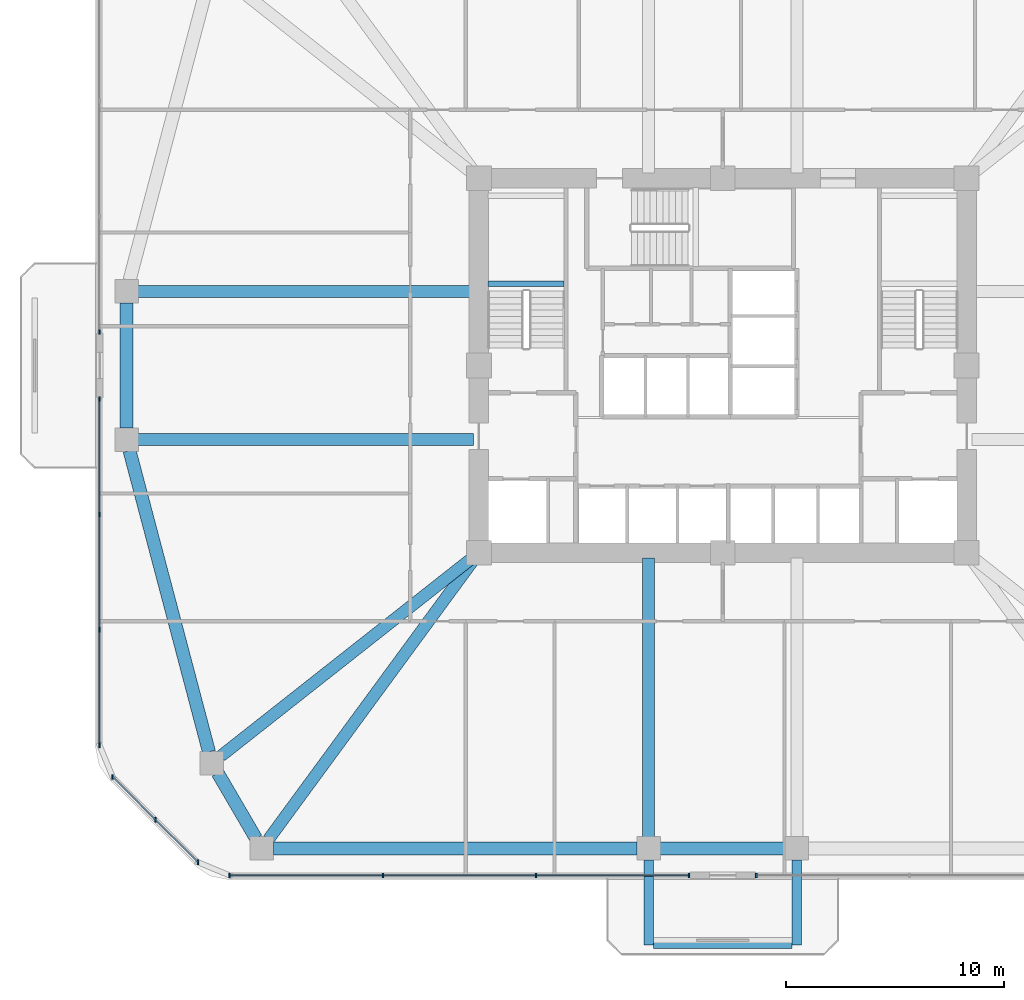
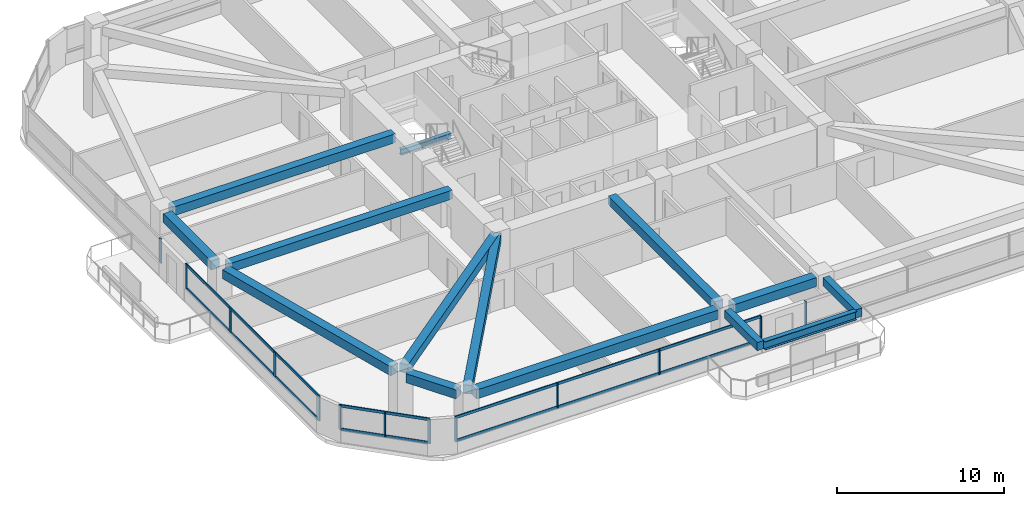
# One storey, part 2 of 13: 19 members, 14 beams, 5 elements without a shape of their own.
"""IFC4 building model written with IfcOpenShell, lengths in metres."""

from ifc_helpers import new_model, si_unit, derived_unit, direction, frame, origin, origin_2d, place, context, subcontext, project, spatial, rectangle, i_section, extrude, material, material_profile, profile_set, type_object, element, aggregate, save


model = new_model("IFC4")

# Units and contexts
model_context = context("Model", 3, precision=1e-05, world=origin(), true_north=direction((0.0, 1.0)))
body_context = subcontext(model_context, "Body", "Model", "MODEL_VIEW")
ifc_project = project(units=[si_unit("LENGTHUNIT", "METRE"), si_unit("AREAUNIT", "SQUARE_METRE"), si_unit("VOLUMEUNIT", "CUBIC_METRE"), si_unit("PLANEANGLEUNIT", "RADIAN"), si_unit("MASSUNIT", "GRAM", prefix="KILO"), derived_unit("THERMALTRANSMITTANCEUNIT", [(si_unit("POWERUNIT", "WATT"), 1), (si_unit("LENGTHUNIT", "METRE"), -2), (si_unit("THERMODYNAMICTEMPERATUREUNIT", "KELVIN"), -1)])], contexts=[model_context])

# Site, building, storey
site_placement = place(None, origin())
site = spatial("IfcSite", under=ifc_project, at=site_placement, CompositionType="ELEMENT")
building_placement = place(site_placement, origin())
building = spatial("IfcBuilding", under=site, at=building_placement, Name="Koralith Skygarden Medical Center", CompositionType="ELEMENT")
storey_placement = place(building_placement, frame((0.0, 0.0, 49.139892578125)))
storey = spatial("IfcBuildingStorey", under=building, at=storey_placement, Name="L12", CompositionType="ELEMENT", Elevation=49.139892578125)

# Curtain wall, members
ifc_material_1 = material(Name="Clear Laminated Glass", Category="glass")
curtain_wall_type = type_object("IfcCurtainWallType", Name="CW-2 Zone 1 Hurricane Unitised Curtain Wall", PredefinedType="NOTDEFINED", material=ifc_material_1)
curtain_wall_1_placement = place(storey_placement, origin())
curtain_wall_1 = element("IfcCurtainWall", 1, at=curtain_wall_1_placement, inside=storey, type_object=curtain_wall_type, Name="Curtain Wall CW-L12-S-L", PredefinedType="NOTDEFINED")
ifc_material_2 = material(Name="Aluminium 6063-T6", Category="aluminium")
ifc_material_profile_1 = material_profile(ifc_material_2, rectangle(XDim=0.071044921875, YDim=0.219970703125, at=origin_2d()), Name="MUL71X220")
ifc_profile_set_1 = profile_set([ifc_material_profile_1], Name="Aluminium 6063-T6")
member_type_1 = type_object("IfcMemberType", Name="CW-2 Extruded Mullion 71x220", PredefinedType="MULLION", material=ifc_profile_set_1)
member_1_placement = place(storey_placement, frame((14.35498046875, 2.47998046875, 0.85009765625), z_axis=(0.0, 0.0, 1.0), x_axis=(1.0, 0.0, 0.0)))
member_1 = element("IfcMember", 2, at=member_1_placement, type_object=member_type_1, Name="CW-L12-S-L Mullion 1", PredefinedType="MULLION", context=body_context, shape_type="SweptSolid", body=[
    extrude(rectangle(XDim=0.071044921875, YDim=0.219970703125, at=origin_2d()), origin(), (0.0, 0.0, 1.0), 1.800048828125),
])
member_2_placement = place(storey_placement, frame((21.389892578125, 2.47998046875, 0.85009765625), z_axis=(0.0, 0.0, 1.0), x_axis=(1.0, 0.0, 0.0)))
member_2 = element("IfcMember", 3, at=member_2_placement, type_object=member_type_1, Name="CW-L12-S-L Mullion 2", PredefinedType="MULLION", context=body_context, shape_type="SweptSolid", body=[
    extrude(rectangle(XDim=0.071044921875, YDim=0.219970703125, at=origin_2d()), origin(), (0.0, 0.0, 1.0), 1.800048828125),
])
member_3_placement = place(storey_placement, frame((28.425048828125, 2.47998046875, 0.85009765625), z_axis=(0.0, 0.0, 1.0), x_axis=(1.0, 0.0, 0.0)))
member_3 = element("IfcMember", 4, at=member_3_placement, type_object=member_type_1, Name="CW-L12-S-L Mullion 3", PredefinedType="MULLION", context=body_context, shape_type="SweptSolid", body=[
    extrude(rectangle(XDim=0.071044921875, YDim=0.219970703125, at=origin_2d()), origin(), (0.0, 0.0, 1.0), 1.800048828125),
])
member_4_placement = place(storey_placement, frame((35.4599609375, 2.47998046875, 0.85009765625), z_axis=(0.0, 0.0, 1.0), x_axis=(1.0, 0.0, 0.0)))
member_4 = element("IfcMember", 5, at=member_4_placement, type_object=member_type_1, Name="CW-L12-S-L Mullion 4", PredefinedType="MULLION", context=body_context, shape_type="SweptSolid", body=[
    extrude(rectangle(XDim=0.071044921875, YDim=0.219970703125, at=origin_2d()), origin(), (0.0, 0.0, 1.0), 1.800048828125),
])

# Curtain wall, member
curtain_wall_2_placement = place(storey_placement, origin())
curtain_wall_2 = element("IfcCurtainWall", 6, at=curtain_wall_2_placement, inside=storey, type_object=curtain_wall_type, Name="Curtain Wall CW-L12-S-R", PredefinedType="NOTDEFINED")
member_5_placement = place(storey_placement, frame((38.5400390625, 2.47998046875, 0.85009765625), z_axis=(0.0, 0.0, 1.0), x_axis=(1.0, 0.0, 0.0)))
member_5 = element("IfcMember", 7, at=member_5_placement, type_object=member_type_1, Name="CW-L12-S-R Mullion 1", PredefinedType="MULLION", context=body_context, shape_type="SweptSolid", body=[
    extrude(rectangle(XDim=0.071044921875, YDim=0.219970703125, at=origin_2d()), origin(), (0.0, 0.0, 1.0), 1.800048828125),
])
aggregate(curtain_wall_2, [member_5])

curtain_wall_3_placement = place(storey_placement, origin())
curtain_wall_3 = element("IfcCurtainWall", 8, at=curtain_wall_3_placement, inside=storey, type_object=curtain_wall_type, Name="Curtain Wall CW-L12-W-L", PredefinedType="NOTDEFINED")
member_6_placement = place(storey_placement, frame((8.3798828125, 27.43994140625, 0.85009765625), z_axis=(0.0, 0.0, 1.0), x_axis=(1.0, 0.0, 0.0)))
member_6 = element("IfcMember", 9, at=member_6_placement, type_object=member_type_1, Name="CW-L12-W-L Mullion 4", PredefinedType="MULLION", context=body_context, shape_type="SweptSolid", body=[
    extrude(rectangle(XDim=0.071044921875, YDim=0.219970703125, at=origin_2d()), origin(), (0.0, 0.0, 1.0), 1.800048828125),
])
aggregate(curtain_wall_3, [member_6])

# Curtain wall, members
curtain_wall_4_placement = place(storey_placement, origin())
curtain_wall_4 = element("IfcCurtainWall", 10, at=curtain_wall_4_placement, inside=storey, type_object=curtain_wall_type, Name="Curtain Wall CW-L12-W-R", PredefinedType="NOTDEFINED")
member_7_placement = place(storey_placement, frame((8.3798828125, 24.360107421875, 0.85009765625), z_axis=(0.0, 0.0, 1.0), x_axis=(1.0, 0.0, 0.0)))
member_7 = element("IfcMember", 11, at=member_7_placement, type_object=member_type_1, Name="CW-L12-W-R Mullion 1", PredefinedType="MULLION", context=body_context, shape_type="SweptSolid", body=[
    extrude(rectangle(XDim=0.071044921875, YDim=0.219970703125, at=origin_2d()), origin(), (0.0, 0.0, 1.0), 1.800048828125),
])
member_8_placement = place(storey_placement, frame((8.3798828125, 19.05810546875, 0.85009765625), z_axis=(0.0, 0.0, 1.0), x_axis=(1.0, 0.0, 0.0)))
member_8 = element("IfcMember", 12, at=member_8_placement, type_object=member_type_1, Name="CW-L12-W-R Mullion 2", PredefinedType="MULLION", context=body_context, shape_type="SweptSolid", body=[
    extrude(rectangle(XDim=0.071044921875, YDim=0.219970703125, at=origin_2d()), origin(), (0.0, 0.0, 1.0), 1.800048828125),
])
member_9_placement = place(storey_placement, frame((8.3798828125, 13.757080078125, 0.85009765625), z_axis=(0.0, 0.0, 1.0), x_axis=(1.0, 0.0, 0.0)))
member_9 = element("IfcMember", 13, at=member_9_placement, type_object=member_type_1, Name="CW-L12-W-R Mullion 3", PredefinedType="MULLION", context=body_context, shape_type="SweptSolid", body=[
    extrude(rectangle(XDim=0.071044921875, YDim=0.219970703125, at=origin_2d()), origin(), (0.0, 0.0, 1.0), 1.800048828125),
])
member_10_placement = place(storey_placement, frame((8.3798828125, 8.455078125, 0.85009765625), z_axis=(0.0, 0.0, 1.0), x_axis=(1.0, 0.0, 0.0)))
member_10 = element("IfcMember", 14, at=member_10_placement, type_object=member_type_1, Name="CW-L12-W-R Mullion 4", PredefinedType="MULLION", context=body_context, shape_type="SweptSolid", body=[
    extrude(rectangle(XDim=0.071044921875, YDim=0.219970703125, at=origin_2d()), origin(), (0.0, 0.0, 1.0), 1.800048828125),
])

curtain_wall_5_placement = place(storey_placement, origin())
curtain_wall_5 = element("IfcCurtainWall", 15, at=curtain_wall_5_placement, inside=storey, type_object=curtain_wall_type, Name="Curtain Wall CW-L12-SW", PredefinedType="NOTDEFINED")
member_11_placement = place(storey_placement, frame((8.98095703125, 7.00390625, 0.85009765625), z_axis=(0.0, 0.0, 1.0), x_axis=(1.0, 0.0, 0.0)))
member_11 = element("IfcMember", 16, at=member_11_placement, type_object=member_type_1, Name="CW-L12-SW Mullion 1", PredefinedType="MULLION", context=body_context, shape_type="SweptSolid", body=[
    extrude(rectangle(XDim=0.071044921875, YDim=0.219970703125, at=origin_2d()), origin(), (0.0, 0.0, 1.0), 1.800048828125),
])
member_12_placement = place(storey_placement, frame((10.94189453125, 5.04296875, 0.85009765625), z_axis=(0.0, 0.0, 1.0), x_axis=(1.0, 0.0, 0.0)))
member_12 = element("IfcMember", 17, at=member_12_placement, type_object=member_type_1, Name="CW-L12-SW Mullion 2", PredefinedType="MULLION", context=body_context, shape_type="SweptSolid", body=[
    extrude(rectangle(XDim=0.071044921875, YDim=0.219970703125, at=origin_2d()), origin(), (0.0, 0.0, 1.0), 1.800048828125),
])
member_13_placement = place(storey_placement, frame((12.904052734375, 3.0810546875, 0.85009765625), z_axis=(0.0, 0.0, 1.0), x_axis=(1.0, 0.0, 0.0)))
member_13 = element("IfcMember", 18, at=member_13_placement, type_object=member_type_1, Name="CW-L12-SW Mullion 3", PredefinedType="MULLION", context=body_context, shape_type="SweptSolid", body=[
    extrude(rectangle(XDim=0.071044921875, YDim=0.219970703125, at=origin_2d()), origin(), (0.0, 0.0, 1.0), 1.800048828125),
])

# Member
ifc_material_profile_2 = material_profile(ifc_material_2, rectangle(XDim=0.06591796875, YDim=0.197998046875, at=origin_2d()), Name="TRN66X198")
ifc_profile_set_2 = profile_set([ifc_material_profile_2], Name="Aluminium 6063-T6")
member_type_2 = type_object("IfcMemberType", Name="CW-2 Thermal Transom 66x198", PredefinedType="USERDEFINED", material=ifc_profile_set_2)
member_14_placement = place(storey_placement, frame((14.35498046875, 2.47998046875, 0.900146484375), z_axis=(1.0, 0.0, 0.0), x_axis=(0.0, 1.0, 0.0)))
member_14 = element("IfcMember", 19, at=member_14_placement, type_object=member_type_2, Name="CW-L12-S-L Transom 1", ObjectType="TRANSOM", PredefinedType="USERDEFINED", context=body_context, shape_type="SweptSolid", body=[
    extrude(rectangle(XDim=0.06591796875, YDim=0.197998046875, at=origin_2d()), origin(), (0.0, 0.0, 1.0), 21.10498046875),
])

member_15_placement = place(storey_placement, frame((14.35498046875, 2.47998046875, 2.60009765625), z_axis=(1.0, 0.0, 0.0), x_axis=(0.0, 1.0, 0.0)))
member_15 = element("IfcMember", 20, at=member_15_placement, type_object=member_type_2, Name="CW-L12-S-L Transom 2", ObjectType="TRANSOM", PredefinedType="USERDEFINED", context=body_context, shape_type="SweptSolid", body=[
    extrude(rectangle(XDim=0.06591796875, YDim=0.197998046875, at=origin_2d()), origin(), (0.0, 0.0, 1.0), 21.10498046875),
])

aggregate(curtain_wall_1, [member_1, member_2, member_3, member_4, member_14, member_15])

member_16_placement = place(storey_placement, frame((8.3798828125, 24.360107421875, 0.900146484375), z_axis=(0.0, -1.0, 0.0), x_axis=(1.0, 0.0, 0.0)))
member_16 = element("IfcMember", 21, at=member_16_placement, type_object=member_type_2, Name="CW-L12-W-R Transom 1", ObjectType="TRANSOM", PredefinedType="USERDEFINED", context=body_context, shape_type="SweptSolid", body=[
    extrude(rectangle(XDim=0.06591796875, YDim=0.197998046875, at=origin_2d()), origin(), (0.0, 0.0, 1.0), 15.905029296875),
])

member_17_placement = place(storey_placement, frame((8.3798828125, 24.360107421875, 2.60009765625), z_axis=(0.0, -1.0, 0.0), x_axis=(1.0, 0.0, 0.0)))
member_17 = element("IfcMember", 22, at=member_17_placement, type_object=member_type_2, Name="CW-L12-W-R Transom 2", ObjectType="TRANSOM", PredefinedType="USERDEFINED", context=body_context, shape_type="SweptSolid", body=[
    extrude(rectangle(XDim=0.06591796875, YDim=0.197998046875, at=origin_2d()), origin(), (0.0, 0.0, 1.0), 15.905029296875),
])

aggregate(curtain_wall_4, [member_7, member_8, member_9, member_10, member_16, member_17])

member_18_placement = place(storey_placement, frame((8.98095703125, 7.00390625, 0.900146484375), z_axis=(0.707128783731, -0.707084777957, 0.0), x_axis=(0.707084777957, 0.707128783731, 0.0)))
member_18 = element("IfcMember", 23, at=member_18_placement, type_object=member_type_2, Name="CW-L12-SW Transom 1", ObjectType="TRANSOM", PredefinedType="USERDEFINED", context=body_context, shape_type="SweptSolid", body=[
    extrude(rectangle(XDim=0.06591796875, YDim=0.197998046875, at=origin_2d()), origin(), (0.0, 0.0, 1.0), 5.5478515625),
])

member_19_placement = place(storey_placement, frame((8.98095703125, 7.00390625, 2.60009765625), z_axis=(0.707128783731, -0.707084777957, 0.0), x_axis=(0.707084777957, 0.707128783731, 0.0)))
member_19 = element("IfcMember", 24, at=member_19_placement, type_object=member_type_2, Name="CW-L12-SW Transom 2", ObjectType="TRANSOM", PredefinedType="USERDEFINED", context=body_context, shape_type="SweptSolid", body=[
    extrude(rectangle(XDim=0.06591796875, YDim=0.197998046875, at=origin_2d()), origin(), (0.0, 0.0, 1.0), 5.5478515625),
])

aggregate(curtain_wall_5, [member_11, member_12, member_13, member_18, member_19])

# Beams
ifc_material_3 = material(Name="Steel ASTM A992 Grade 50", Category="steel")
ifc_material_profile_3 = material_profile(ifc_material_3, i_section(OverallWidth=0.326904296875, OverallDepth=0.6220703125, WebThickness=0.015380859375, FlangeThickness=0.0244140625, at=origin_2d()), Name="W24X131")
ifc_profile_set_3 = profile_set([ifc_material_profile_3], Name="Steel ASTM A992 Grade 50")
beam_type_1 = type_object("IfcBeamType", Name="Cantilever Tie Beam W24X131", PredefinedType="BEAM", material=ifc_profile_set_3)
beam_1_placement = place(storey_placement, frame((33.820068359375, -0.719970703125, 3.029052734375), z_axis=(1.0, 0.0, 0.0), x_axis=(0.0, 1.0, 0.0)))
element("IfcBeam", 25, at=beam_1_placement, inside=storey, type_object=beam_type_1, Name="L13 S Balcony Tip Tie Beam", PredefinedType="BEAM", context=body_context, shape_type="SweptSolid", body=[
    extrude(i_section(OverallWidth=0.326904296875, OverallDepth=0.6220703125, WebThickness=0.015380859375, FlangeThickness=0.0244140625, at=origin_2d()), origin(), (0.0, 0.0, 1.0), 6.35986328125),
])
ifc_material_profile_4 = material_profile(ifc_material_3, i_section(OverallWidth=0.260009765625, OverallDepth=0.4150390625, WebThickness=0.010009765625, FlangeThickness=0.016845703125, at=origin_2d()), Name="W16X67")
ifc_profile_set_4 = profile_set([ifc_material_profile_4], Name="Steel ASTM A992 Grade 50")
beam_type_2 = type_object("IfcBeamType", Name="Clinical Floor Joist W16X67", PredefinedType="JOIST", material=ifc_profile_set_4)
beam_2_placement = place(storey_placement, frame((26.22998046875, 29.659912109375, 1.39208984375), z_axis=(1.0, 0.0, 0.0), x_axis=(0.0, 1.0, 0.0)))
element("IfcBeam", 26, at=beam_2_placement, inside=storey, type_object=beam_type_2, Name="L12 Stair ST1 Half-Landing Support Beam 1A", PredefinedType="JOIST", context=body_context, shape_type="SweptSolid", body=[
    extrude(i_section(OverallWidth=0.260009765625, OverallDepth=0.4150390625, WebThickness=0.010009765625, FlangeThickness=0.016845703125, at=origin_2d()), origin(), (0.0, 0.0, 1.0), 3.489990234375),
])
ifc_material_4 = material(Name="Concrete C45/55", Category="concrete")
ifc_material_profile_5 = material_profile(ifc_material_4, rectangle(XDim=0.449951171875, YDim=0.60009765625, at=origin_2d()), Name="RCB450X600")
ifc_profile_set_5 = profile_set([ifc_material_profile_5], Name="Concrete C45/55")
beam_type_3 = type_object("IfcBeamType", Name="Planted Balcony Cantilever Beam RCB450X600", PredefinedType="BEAM", material=ifc_profile_set_5)
for number, where, z_axis, x_axis, name in (
    (27, (33.60009765625, 3.199951171875, 3.0400390625), (0.0, -1.0, 0.0), (1.0, 0.0, 0.0), "L13 S Balcony Cantilever Beam A"),
    (28, (40.39990234375, 3.199951171875, 3.0400390625), (0.0, -1.0, 0.0), (1.0, 0.0, 0.0), "L13 S Balcony Cantilever Beam B"),
):
    element("IfcBeam", number, at=place(storey_placement, frame(where, z_axis=z_axis, x_axis=x_axis)), inside=storey, type_object=beam_type_3, Name=name, PredefinedType="BEAM", context=body_context, shape_type="SweptSolid", body=[
        extrude(rectangle(XDim=0.449951171875, YDim=0.60009765625, at=origin_2d()), origin(), (0.0, 0.0, 1.0), 3.919921875),
    ])
ifc_material_profile_6 = material_profile(ifc_material_4, rectangle(XDim=0.550048828125, YDim=0.639892578125, at=origin_2d()), Name="RCB550X640")
ifc_profile_set_6 = profile_set([ifc_material_profile_6], Name="Concrete C45/55")
beam_type_4 = type_object("IfcBeamType", Name="Radial Collector Beam RCB550X640", PredefinedType="BEAM", material=ifc_profile_set_6)
beam_3_placement = place(storey_placement, frame((25.550048828125, 22.5, 3.0), z_axis=(-1.0, 0.0, 0.0), x_axis=(0.0, -1.0, 0.0)))
element("IfcBeam", 29, at=beam_3_placement, inside=storey, type_object=beam_type_4, Name="L12 Radial Collector Beam RB-01", PredefinedType="BEAM", context=body_context, shape_type="SweptSolid", body=[
    extrude(rectangle(XDim=0.550048828125, YDim=0.639892578125, at=origin_2d()), origin(), (0.0, 0.0, 1.0), 15.400146484375),
])
beam_4_placement = place(storey_placement, frame((25.60400390625, 17.14501953125, 3.0), z_axis=(-0.785497250365, -0.618865146594, 0.0), x_axis=(0.618865146594, -0.785497250365, 0.0)))
element("IfcBeam", 30, at=beam_4_placement, inside=storey, type_object=beam_type_4, Name="L12 Radial Collector Beam RB-02", PredefinedType="BEAM", context=body_context, shape_type="SweptSolid", body=[
    extrude(rectangle(XDim=0.550048828125, YDim=0.639892578125, at=origin_2d()), origin(), (0.0, 0.0, 1.0), 14.828857421875),
])
beam_5_placement = place(storey_placement, frame((25.652099609375, 17.097900390625, 3.0), z_axis=(-0.591718052249, -0.806144991079, 0.0), x_axis=(0.806144991079, -0.591718052249, 0.0)))
element("IfcBeam", 31, at=beam_5_placement, inside=storey, type_object=beam_type_4, Name="L12 Radial Collector Beam RB-03", PredefinedType="BEAM", context=body_context, shape_type="SweptSolid", body=[
    extrude(rectangle(XDim=0.550048828125, YDim=0.639892578125, at=origin_2d()), origin(), (0.0, 0.0, 1.0), 16.065185546875),
])
beam_6_placement = place(storey_placement, frame((33.60009765625, 17.050048828125, 3.0), z_axis=(0.0, -1.0, 0.0), x_axis=(1.0, 0.0, 0.0)))
element("IfcBeam", 32, at=beam_6_placement, inside=storey, type_object=beam_type_4, Name="L12 Radial Collector Beam RB-04", PredefinedType="BEAM", context=body_context, shape_type="SweptSolid", body=[
    extrude(rectangle(XDim=0.550048828125, YDim=0.639892578125, at=origin_2d()), origin(), (0.0, 0.0, 1.0), 12.800048828125),
])
beam_7_placement = place(storey_placement, frame((25.550048828125, 29.300048828125, 3.0), z_axis=(-1.0, 0.0, 0.0), x_axis=(0.0, -1.0, 0.0)))
element("IfcBeam", 33, at=beam_7_placement, inside=storey, type_object=beam_type_4, Name="L12 Radial Collector Beam RB-16", PredefinedType="BEAM", context=body_context, shape_type="SweptSolid", body=[
    extrude(rectangle(XDim=0.550048828125, YDim=0.639892578125, at=origin_2d()), origin(), (0.0, 0.0, 1.0), 15.400146484375),
])
ifc_material_profile_7 = material_profile(ifc_material_4, rectangle(XDim=0.60009765625, YDim=0.659912109375, at=origin_2d()), Name="RCB600X660")
ifc_profile_set_7 = profile_set([ifc_material_profile_7], Name="Concrete C45/55")
beam_type_5 = type_object("IfcBeamType", Name="Zone 1 Spandrel Beam RCB600X660", PredefinedType="SPANDREL", material=ifc_profile_set_7)
beam_8_placement = place(storey_placement, frame((9.7548828125, 21.988037109375, 2.989990234375), z_axis=(0.255088684842, -0.966917660851, 0.0), x_axis=(0.966917660851, 0.255088684842, 0.0)))
element("IfcBeam", 34, at=beam_8_placement, inside=storey, type_object=beam_type_5, Name="L12 Perimeter Spandrel Beam SP-01", PredefinedType="SPANDREL", context=body_context, shape_type="SweptSolid", body=[
    extrude(rectangle(XDim=0.60009765625, YDim=0.659912109375, at=origin_2d()), origin(), (0.0, 0.0, 1.0), 14.309326171875),
])
beam_9_placement = place(storey_placement, frame((13.80810546875, 7.181884765625, 2.989990234375), z_axis=(0.504638660636, -0.863330656349, 0.0), x_axis=(0.863330656349, 0.504638660636, 0.0)))
element("IfcBeam", 35, at=beam_9_placement, inside=storey, type_object=beam_type_5, Name="L12 Perimeter Spandrel Beam SP-02", PredefinedType="SPANDREL", context=body_context, shape_type="SweptSolid", body=[
    extrude(rectangle(XDim=0.60009765625, YDim=0.659912109375, at=origin_2d()), origin(), (0.0, 0.0, 1.0), 3.4794921875),
])
beam_10_placement = place(storey_placement, frame((16.362060546875, 3.719970703125, 2.989990234375), z_axis=(1.0, 0.0, 0.0), x_axis=(0.0, 1.0, 0.0)))
element("IfcBeam", 36, at=beam_10_placement, inside=storey, type_object=beam_type_5, Name="L12 Perimeter Spandrel Beam SP-03", PredefinedType="SPANDREL", context=body_context, shape_type="SweptSolid", body=[
    extrude(rectangle(XDim=0.60009765625, YDim=0.659912109375, at=origin_2d()), origin(), (0.0, 0.0, 1.0), 16.7080078125),
])
beam_11_placement = place(storey_placement, frame((34.1298828125, 3.719970703125, 2.989990234375), z_axis=(1.0, 0.0, 0.0), x_axis=(0.0, 1.0, 0.0)))
element("IfcBeam", 37, at=beam_11_placement, inside=storey, type_object=beam_type_5, Name="L12 Perimeter Spandrel Beam SP-04", PredefinedType="SPANDREL", context=body_context, shape_type="SweptSolid", body=[
    extrude(rectangle(XDim=0.60009765625, YDim=0.659912109375, at=origin_2d()), origin(), (0.0, 0.0, 1.0), 5.740234375),
])
beam_12_placement = place(storey_placement, frame((9.6201171875, 28.77001953125, 2.989990234375), z_axis=(0.0, -1.0, 0.0), x_axis=(1.0, 0.0, 0.0)))
element("IfcBeam", 38, at=beam_12_placement, inside=storey, type_object=beam_type_5, Name="L12 Perimeter Spandrel Beam SP-16", PredefinedType="SPANDREL", context=body_context, shape_type="SweptSolid", body=[
    extrude(rectangle(XDim=0.60009765625, YDim=0.659912109375, at=origin_2d()), origin(), (0.0, 0.0, 1.0), 5.739990234375),
])

save(model, "model.ifc")
